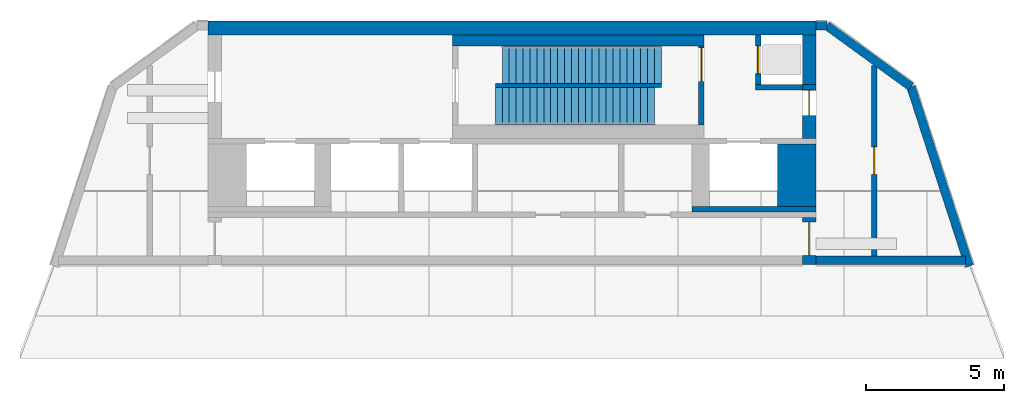
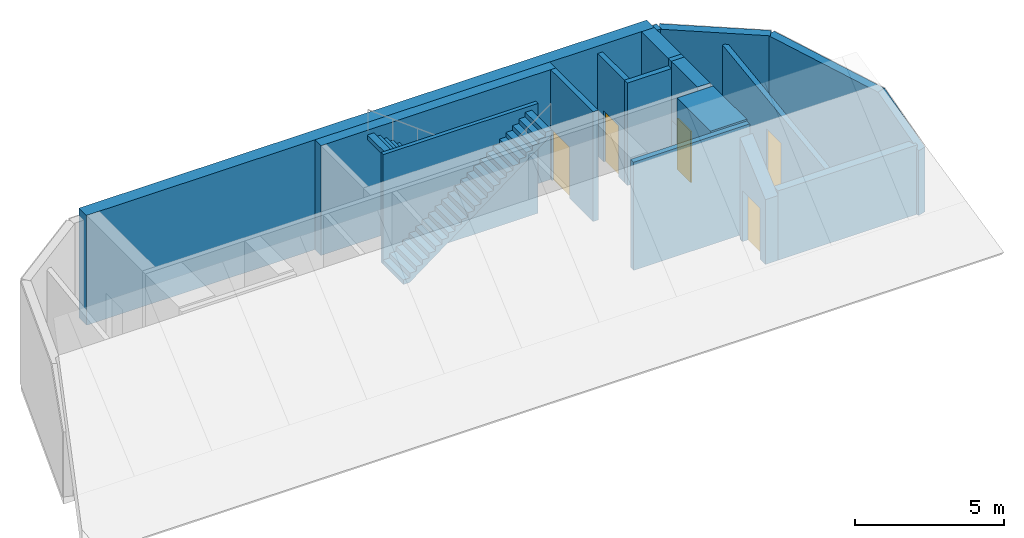
# One storey, part 2 of 4: 17 walls, 5 doors, 2 stair flights, 5 openings, 2 elements without a shape of their own.
"""IFC4 building model written with IfcOpenShell, lengths in metres."""

from ifc_helpers import new_model, si_unit, direction, frame, frame_2d, origin, place, context, subcontext, project, spatial, polyline, rectangle, outline, extrude, material, layer, layer_set, type_object, element, fill, aggregate, save


model = new_model("IFC4")

# Units and contexts
model_context = context("Model", 3, precision=1e-05, world=origin(), true_north=direction((0.0, 1.0)))
body_context = subcontext(model_context, "Body", "Model", "MODEL_VIEW")
ifc_project = project(units=[si_unit("LENGTHUNIT", "METRE"), si_unit("AREAUNIT", "SQUARE_METRE"), si_unit("VOLUMEUNIT", "CUBIC_METRE"), si_unit("PLANEANGLEUNIT", "RADIAN"), si_unit("MASSUNIT", "GRAM", prefix="KILO")], contexts=[model_context])

# Site, building, storey
site_placement = place(None, origin())
site = spatial("IfcSite", under=ifc_project, at=site_placement, CompositionType="ELEMENT")
building_placement = place(site_placement, origin())
building = spatial("IfcBuilding", under=site, at=building_placement, Name="White Candle Pilgrim Tower", CompositionType="ELEMENT")
storey_placement = place(building_placement, frame((0.0, 0.0, 351.199951171875)))
storey = spatial("IfcBuildingStorey", under=building, at=storey_placement, Name="L82", CompositionType="ELEMENT", Elevation=351.199951171875)

# Walls
ifc_material_1 = material(Name="Concrete C40/50", Category="concrete")
ifc_layer_1 = layer(ifc_material_1, 1.39990234375)
ifc_layer_set_1 = layer_set([ifc_layer_1], Name="Core wall 1400 mm Concrete C40/50")
wall_type_1 = type_object("IfcWallType", Name="Core wall 1400 mm Concrete C40/50", PredefinedType="SHEAR", material=ifc_layer_set_1)
wall_1_placement = place(storey_placement, frame((80.300048828125, 81.300048828125, 0.0), z_axis=(0.0, 0.0, 1.0), x_axis=(0.0, 1.0, 0.0)))
element("IfcWall", 1, at=wall_1_placement, inside=storey, type_object=wall_type_1, Name="WL-L82-C12", PredefinedType="SHEAR", context=body_context, shape_type="SweptSolid", body=[
    extrude(rectangle(XDim=2.25, YDim=1.39990234375, at=frame_2d((1.125, 0.0))), origin(), (0.0, 0.0, 1.0), 4.5),
])
ifc_layer_2 = layer(ifc_material_1, 0.199951171875)
ifc_layer_set_2 = layer_set([ifc_layer_2], Name="Core wall 200 mm Concrete C40/50")
wall_type_2 = type_object("IfcWallType", Name="Core wall 200 mm Concrete C40/50", PredefinedType="SHEAR", material=ifc_layer_set_2)
wall_2_placement = place(storey_placement, frame((76.5, 81.199951171875, 0.0), z_axis=(0.0, 0.0, 1.0), x_axis=(1.0, 0.0, 0.0)))
element("IfcWall", 2, at=wall_2_placement, inside=storey, type_object=wall_type_2, Name="WL-L82-C08", PredefinedType="SHEAR", context=body_context, shape_type="SweptSolid", body=[
    extrude(rectangle(XDim=4.5, YDim=0.199951171875, at=frame_2d((2.25, 0.0))), origin(), (0.0, 0.0, 1.0), 4.428955078125),
])
wall_3_placement = place(storey_placement, frame((80.5, 85.60009765625, 0.0), z_axis=(0.0, 0.0, 1.0), x_axis=(1.0, 0.0, 0.0)))
element("IfcWall", 3, at=wall_3_placement, inside=storey, type_object=wall_type_2, Name="WL-L82-C20", PredefinedType="SHEAR", context=body_context, shape_type="SweptSolid", body=[
    extrude(rectangle(XDim=0.5, YDim=0.199951171875, at=frame_2d((0.25, 0.0))), origin(), (0.0, 0.0, 1.0), 4.5),
])

# Wall, opening, door
ifc_layer_3 = layer(ifc_material_1, 0.5)
ifc_layer_set_3 = layer_set([ifc_layer_3], Name="Core wall 500 mm Concrete C40/50")
wall_type_3 = type_object("IfcWallType", Name="Core wall 500 mm Concrete C40/50", PredefinedType="SHEAR", material=ifc_layer_set_3)
wall_4_placement = place(storey_placement, frame((80.75, 79.19091796875, 0.0), z_axis=(0.0, 0.0, 1.0), x_axis=(0.0, 1.0, 0.0)))
wall_4 = element("IfcWall", 4, at=wall_4_placement, inside=storey, type_object=wall_type_3, Name="WL-L82-C02", PredefinedType="SHEAR", context=body_context, shape_type="SweptSolid", body=[
    extrude(outline(polyline([(0.0, 0.0), (1.708984375, 0.0), (1.709228515625, 4.163330078125), (0.0, 2.650146484375), (0.0, 0.0)])), frame((0.0, 0.25, 0.0), z_axis=(0.0, -1.0, 0.0), x_axis=(1.0, 0.0, 0.0)), (0.0, 0.0, 1.0), 0.5),
])
opening_1_placement = place(wall_4_placement, frame((0.340087890625, 0.0, 0.0)))
opening_1 = element("IfcOpeningElement", 5, at=opening_1_placement, cuts=wall_4, Name="Opening L82-004", PredefinedType="OPENING", context=body_context, shape_type="SweptSolid", body=[
    extrude(rectangle(XDim=1.199951171875, YDim=2.10009765625, at=frame_2d((0.60009765625, 1.050048828125))), frame((0.0, 0.260009765625, 0.0), z_axis=(0.0, -1.0, 0.0), x_axis=(1.0, 0.0, 0.0)), (0.0, 0.0, 1.0), 0.52001953125),
])
ifc_material_2 = material(Name="Steel door leaf", Category="steel")
door_type_1 = type_object("IfcDoorType", Name="Fire door 1200 x 2100 EI 60", OperationType="NOTDEFINED", PredefinedType="DOOR", material=ifc_material_2)
door_1_placement = place(opening_1_placement, origin())
door_1 = element("IfcDoor", 6, at=door_1_placement, inside=storey, type_object=door_type_1, Name="Door L82-004", OperationType="SINGLE_SWING_LEFT", OverallHeight=2.10009765625, OverallWidth=1.199951171875, PredefinedType="DOOR", context=body_context, shape_type="SweptSolid", body=[
    extrude(rectangle(XDim=1.199951171875, YDim=2.10009765625, at=frame_2d((0.60009765625, 1.050048828125))), frame((0.0, 0.02490234375, 0.0), z_axis=(0.0, -1.0, 0.0), x_axis=(1.0, 0.0, 0.0)), (0.0, 0.0, 1.0), 0.050048828125),
])
fill(opening_1, door_1)

wall_5_placement = place(storey_placement, frame((80.75, 83.75, 0.0), z_axis=(0.0, 0.0, 1.0), x_axis=(0.0, 1.0, 0.0)))
wall_5 = element("IfcWall", 7, at=wall_5_placement, inside=storey, type_object=wall_type_3, Name="WL-L82-C16", PredefinedType="SHEAR", context=body_context, shape_type="SweptSolid", body=[
    extrude(rectangle(XDim=1.75, YDim=0.5, at=frame_2d((0.875, 0.0))), origin(), (0.0, 0.0, 1.0), 4.5),
])
opening_2_placement = place(wall_5_placement, frame((0.840087890625, 0.0, 0.0)))
opening_2 = element("IfcOpeningElement", 8, at=opening_2_placement, cuts=wall_5, Name="Opening L82-006", PredefinedType="OPENING", context=body_context, shape_type="SweptSolid", body=[
    extrude(rectangle(XDim=0.89990234375, YDim=2.10009765625, at=frame_2d((0.449951171875, 1.050048828125))), frame((0.0, 0.260009765625, 0.0), z_axis=(0.0, -1.0, 0.0), x_axis=(1.0, 0.0, 0.0)), (0.0, 0.0, 1.0), 0.52001953125),
])
door_type_2 = type_object("IfcDoorType", Name="Fire door 900 x 2100 EI 30", OperationType="NOTDEFINED", PredefinedType="DOOR", material=ifc_material_2)
door_2_placement = place(opening_2_placement, origin())
door_2 = element("IfcDoor", 9, at=door_2_placement, inside=storey, type_object=door_type_2, Name="Door L82-006", OperationType="SINGLE_SWING_LEFT", OverallHeight=2.10009765625, OverallWidth=0.89990234375, PredefinedType="DOOR", context=body_context, shape_type="SweptSolid", body=[
    extrude(rectangle(XDim=0.89990234375, YDim=2.10009765625, at=frame_2d((0.449951171875, 1.050048828125))), frame((0.0, 0.02490234375, 0.0), z_axis=(0.0, -1.0, 0.0), x_axis=(1.0, 0.0, 0.0)), (0.0, 0.0, 1.0), 0.050048828125),
])
fill(opening_2, door_2)

# Walls
wall_6_placement = place(storey_placement, frame((80.75, 85.699951171875, 0.0), z_axis=(0.0, 0.0, 1.0), x_axis=(0.0, 1.0, 0.0)))
element("IfcWall", 10, at=wall_6_placement, inside=storey, type_object=wall_type_3, Name="WL-L82-C23", PredefinedType="SHEAR", context=body_context, shape_type="SweptSolid", body=[
    extrude(rectangle(XDim=1.800048828125, YDim=0.5, at=frame_2d((0.89990234375, 0.0))), origin(), (0.0, 0.0, 1.0), 4.5),
])
wall_7_placement = place(storey_placement, frame((59.0, 87.75, 0.0), z_axis=(0.0, 0.0, 1.0), x_axis=(1.0, 0.0, 0.0)))
element("IfcWall", 11, at=wall_7_placement, inside=storey, type_object=wall_type_3, Name="WL-L82-C25", PredefinedType="SHEAR", context=body_context, shape_type="SweptSolid", body=[
    extrude(rectangle(XDim=22.0, YDim=0.5, at=frame_2d((11.0, 0.0))), origin(), (0.0, 0.0, 1.0), 4.5),
])

# Wall, opening, door
ifc_material_3 = material(Name="Gypsum board on steel studs", Category="steel")
ifc_layer_4 = layer(ifc_material_3, 0.199951171875)
ifc_layer_set_4 = layer_set([ifc_layer_4], Name="Corridor wall 200 mm EI 45")
wall_type_4 = type_object("IfcWallType", Name="Corridor wall 200 mm EI 45", PredefinedType="PARTITIONING", material=ifc_layer_set_4)
wall_8_placement = place(storey_placement, frame((83.10009765625, 86.396240234375, 0.0), z_axis=(0.0, 0.0, 1.0), x_axis=(0.0, -1.0, 0.0)))
wall_8 = element("IfcWall", 12, at=wall_8_placement, inside=storey, type_object=wall_type_4, Name="WL-L82-P002", PredefinedType="PARTITIONING", context=body_context, shape_type="SweptSolid", body=[
    extrude(outline(polyline([(0.0, 0.0), (6.885498046875, 0.0), (6.885498046875, 2.833251953125), (0.0, 3.75), (0.0, 0.0)])), frame((0.0, 0.10009765625, 0.0), z_axis=(0.0, -1.0, 0.0), x_axis=(1.0, 0.0, 0.0)), (0.0, 0.0, 1.0), 0.199951171875),
])
opening_3_placement = place(wall_8_placement, frame((2.942626953125, 0.0, 0.0)))
opening_3 = element("IfcOpeningElement", 13, at=opening_3_placement, cuts=wall_8, Name="Opening L82-102", PredefinedType="OPENING", context=body_context, shape_type="SweptSolid", body=[
    extrude(rectangle(XDim=1.0, YDim=2.10009765625, at=frame_2d((0.5, 1.050048828125))), frame((0.0, 0.10986328125, 0.0), z_axis=(0.0, -1.0, 0.0), x_axis=(1.0, 0.0, 0.0)), (0.0, 0.0, 1.0), 0.219970703125),
])
door_type_3 = type_object("IfcDoorType", Name="Fire door 1000 x 2100 EI 30", OperationType="NOTDEFINED", PredefinedType="DOOR", material=ifc_material_2)
door_3_placement = place(opening_3_placement, origin())
door_3 = element("IfcDoor", 14, at=door_3_placement, inside=storey, type_object=door_type_3, Name="Door L82-102", OperationType="SINGLE_SWING_RIGHT", OverallHeight=2.10009765625, OverallWidth=1.0, PredefinedType="DOOR", context=body_context, shape_type="SweptSolid", body=[
    extrude(rectangle(XDim=1.0, YDim=2.10009765625, at=frame_2d((0.5, 1.050048828125))), frame((0.0, 0.02490234375, 0.0), z_axis=(0.0, -1.0, 0.0), x_axis=(1.0, 0.0, 0.0)), (0.0, 0.0, 1.0), 0.050048828125),
])
fill(opening_3, door_3)

# Walls
ifc_material_4 = material(Name="Precast concrete C40/50", Category="concrete")
ifc_layer_5 = layer(ifc_material_4, 0.320068359375)
ifc_layer_set_5 = layer_set([ifc_layer_5], Name="Facade wall EW4 precast concrete C40/50 crown wall with zinc cladding")
wall_type_5 = type_object("IfcWallType", Name="Facade wall EW4 precast concrete C40/50 crown wall with zinc cladding", PredefinedType="SOLIDWALL", material=ifc_layer_set_5)
wall_9_placement = place(storey_placement, frame((86.53759765625, 79.141357421875, 0.0), z_axis=(0.0, 0.0, 1.0), x_axis=(-0.309001889909, 0.951061423901, 0.0)))
element("IfcWall", 15, at=wall_9_placement, inside=storey, type_object=wall_type_5, Name="Crown wall L82 ENE", PredefinedType="SOLIDWALL", context=body_context, shape_type="SweptSolid", body=[
    extrude(outline(polyline([(0.0, 0.0), (6.820068359375, 0.0), (6.820068359375, 4.199951171875), (1.833251953125, 4.199951171875), (0.0, 2.65625), (0.0, 0.0)])), frame((0.0, 0.16015625, 0.0), z_axis=(0.0, -1.0, 0.0), x_axis=(1.0, 0.0, 0.0)), (0.0, 0.0, 1.0), 0.320068359375),
])
wall_10_placement = place(storey_placement, frame((84.43017578125, 85.627685546875, 0.0), z_axis=(0.0, 0.0, 1.0), x_axis=(-0.809022082061, 0.58777824963, 0.0)))
element("IfcWall", 16, at=wall_10_placement, inside=storey, type_object=wall_type_5, Name="Crown wall L82 NE chamfer", PredefinedType="SOLIDWALL", context=body_context, shape_type="SweptSolid", body=[
    extrude(rectangle(XDim=3.763916015625, YDim=0.320068359375, at=frame_2d((1.8818359375, 0.0))), origin(), (0.0, 0.0, 1.0), 4.199951171875),
])
wall_11_placement = place(storey_placement, frame((81.385009765625, 87.840087890625, 0.0), z_axis=(0.0, 0.0, 1.0), x_axis=(-1.0, 0.0, 0.0)))
element("IfcWall", 17, at=wall_11_placement, inside=storey, type_object=wall_type_5, Name="Crown wall L82 N", PredefinedType="SOLIDWALL", context=body_context, shape_type="SweptSolid", body=[
    extrude(rectangle(XDim=0.385009765625, YDim=0.320068359375, at=frame_2d((0.1923828125, 0.0))), origin(), (0.0, 0.0, 1.0), 4.199951171875),
])
wall_12_placement = place(storey_placement, frame((81.0, 79.350830078125, 0.0), z_axis=(0.0, 0.0, 1.0), x_axis=(1.0, 0.0, 0.0)))
element("IfcWall", 18, at=wall_12_placement, inside=storey, type_object=wall_type_5, Name="Crown wall L82 S", PredefinedType="SOLIDWALL", context=body_context, shape_type="SweptSolid", body=[
    extrude(rectangle(XDim=5.39599609375, YDim=0.320068359375, at=frame_2d((2.697998046875, 0.0))), origin(), (0.0, 0.0, 1.0), 2.841796875),
])
ifc_material_5 = material(Name="Aerated concrete block", Category="concrete")
ifc_layer_6 = layer(ifc_material_5, 0.199951171875)
ifc_layer_set_6 = layer_set([ifc_layer_6], Name="Lift shaft wall 200 mm REI 240")
wall_type_6 = type_object("IfcWallType", Name="Lift shaft wall 200 mm REI 240", PredefinedType="PARTITIONING", material=ifc_layer_set_6)
wall_13_placement = place(storey_placement, frame((78.800048828125, 85.60009765625, 0.0), z_axis=(0.0, 0.0, 1.0), x_axis=(1.0, 0.0, 0.0)))
element("IfcWall", 19, at=wall_13_placement, inside=storey, type_object=wall_type_6, Name="WL-L82-C19", PredefinedType="PARTITIONING", context=body_context, shape_type="SweptSolid", body=[
    extrude(rectangle(XDim=1.699951171875, YDim=0.199951171875, at=frame_2d((0.85009765625, 0.0))), origin(), (0.0, 0.0, 1.0), 4.199951171875),
])

# Wall, opening, door
wall_14_placement = place(storey_placement, frame((78.89990234375, 85.699951171875, 0.0), z_axis=(0.0, 0.0, 1.0), x_axis=(0.0, 1.0, 0.0)))
wall_14 = element("IfcWall", 20, at=wall_14_placement, inside=storey, type_object=wall_type_6, Name="WL-L82-C22", PredefinedType="PARTITIONING", context=body_context, shape_type="SweptSolid", body=[
    extrude(rectangle(XDim=1.800048828125, YDim=0.199951171875, at=frame_2d((0.89990234375, 0.0))), origin(), (0.0, 0.0, 1.0), 4.199951171875),
])
opening_4_placement = place(wall_14_placement, frame((0.39990234375, 0.0, 0.0)))
opening_4 = element("IfcOpeningElement", 21, at=opening_4_placement, cuts=wall_14, Name="Opening L82-011", PredefinedType="OPENING", context=body_context, shape_type="SweptSolid", body=[
    extrude(rectangle(XDim=1.0, YDim=2.10009765625, at=frame_2d((0.5, 1.050048828125))), frame((0.0, 0.10986328125, 0.0), z_axis=(0.0, -1.0, 0.0), x_axis=(1.0, 0.0, 0.0)), (0.0, 0.0, 1.0), 0.219970703125),
])
ifc_material_6 = material(Name="Stainless steel", Category="steel")
door_type_4 = type_object("IfcDoorType", Name="Lift landing door 1000 x 2100 E 60", OperationType="DOUBLE_DOOR_SLIDING", PredefinedType="DOOR", material=ifc_material_6)
door_4_placement = place(opening_4_placement, origin())
door_4 = element("IfcDoor", 22, at=door_4_placement, inside=storey, type_object=door_type_4, Name="Door L82-011", OperationType="DOUBLE_DOOR_SLIDING", OverallHeight=2.10009765625, OverallWidth=1.0, PredefinedType="DOOR", context=body_context, shape_type="SweptSolid", body=[
    extrude(rectangle(XDim=1.0, YDim=2.10009765625, at=frame_2d((0.5, 1.050048828125))), frame((0.0, 0.02490234375, 0.0), z_axis=(0.0, -1.0, 0.0), x_axis=(1.0, 0.0, 0.0)), (0.0, 0.0, 1.0), 0.050048828125),
])
fill(opening_4, door_4)

# Wall
ifc_layer_7 = layer(ifc_material_1, 0.14990234375)
ifc_layer_set_7 = layer_set([ifc_layer_7], Name="Stair shaft wall 150 mm Concrete C40/50")
wall_type_7 = type_object("IfcWallType", Name="Stair shaft wall 150 mm Concrete C40/50", PredefinedType="SHEAR", material=ifc_layer_set_7)
wall_15_placement = place(storey_placement, frame((69.39990234375, 85.675048828125, 0.0), z_axis=(0.0, 0.0, 1.0), x_axis=(1.0, 0.0, 0.0)))
element("IfcWall", 23, at=wall_15_placement, inside=storey, type_object=wall_type_7, Name="WL-L82-C21", PredefinedType="SHEAR", context=body_context, shape_type="SweptSolid", body=[
    extrude(rectangle(XDim=6.0, YDim=0.14990234375, at=frame_2d((3.0, 0.0))), origin(), (0.0, 0.0, 1.0), 4.5),
])

# Wall, opening, door
ifc_layer_8 = layer(ifc_material_1, 0.199951171875)
ifc_layer_set_8 = layer_set([ifc_layer_8], Name="Stair shaft wall 200 mm Concrete C40/50")
wall_type_8 = type_object("IfcWallType", Name="Stair shaft wall 200 mm Concrete C40/50", PredefinedType="SHEAR", material=ifc_layer_set_8)
wall_16_placement = place(storey_placement, frame((76.85009765625, 84.25, 0.0), z_axis=(0.0, 0.0, 1.0), x_axis=(0.0, 1.0, 0.0)))
wall_16 = element("IfcWall", 24, at=wall_16_placement, inside=storey, type_object=wall_type_8, Name="WL-L82-C18", PredefinedType="SHEAR", context=body_context, shape_type="SweptSolid", body=[
    extrude(rectangle(XDim=2.85009765625, YDim=0.199951171875, at=frame_2d((1.425048828125, 0.0))), origin(), (0.0, 0.0, 1.0), 4.5),
])
opening_5_placement = place(wall_16_placement, frame((1.574951171875, 0.0, 0.0)))
opening_5 = element("IfcOpeningElement", 25, at=opening_5_placement, cuts=wall_16, Name="Opening L82-002", PredefinedType="OPENING", context=body_context, shape_type="SweptSolid", body=[
    extrude(rectangle(XDim=1.199951171875, YDim=2.10009765625, at=frame_2d((0.60009765625, 1.050048828125))), frame((0.0, 0.10986328125, 0.0), z_axis=(0.0, -1.0, 0.0), x_axis=(1.0, 0.0, 0.0)), (0.0, 0.0, 1.0), 0.219970703125),
])
door_5_placement = place(opening_5_placement, origin())
door_5 = element("IfcDoor", 26, at=door_5_placement, inside=storey, type_object=door_type_1, Name="Door L82-002", OperationType="SINGLE_SWING_RIGHT", OverallHeight=2.10009765625, OverallWidth=1.199951171875, PredefinedType="DOOR", context=body_context, shape_type="SweptSolid", body=[
    extrude(rectangle(XDim=1.199951171875, YDim=2.10009765625, at=frame_2d((0.60009765625, 1.050048828125))), frame((0.0, 0.02490234375, 0.0), z_axis=(0.0, -1.0, 0.0), x_axis=(1.0, 0.0, 0.0)), (0.0, 0.0, 1.0), 0.050048828125),
])
fill(opening_5, door_5)

# Wall
ifc_layer_9 = layer(ifc_material_1, 0.39990234375)
ifc_layer_set_9 = layer_set([ifc_layer_9], Name="Stair shaft wall 400 mm Concrete C40/50")
wall_type_9 = type_object("IfcWallType", Name="Stair shaft wall 400 mm Concrete C40/50", PredefinedType="SHEAR", material=ifc_layer_set_9)
wall_17_placement = place(storey_placement, frame((67.85009765625, 87.300048828125, 0.0), z_axis=(0.0, 0.0, 1.0), x_axis=(1.0, 0.0, 0.0)))
element("IfcWall", 27, at=wall_17_placement, inside=storey, type_object=wall_type_9, Name="WL-L82-C24", PredefinedType="SHEAR", context=body_context, shape_type="SweptSolid", body=[
    extrude(rectangle(XDim=9.099853515625, YDim=0.39990234375, at=frame_2d((4.5498046875, 0.0))), origin(), (0.0, 0.0, 1.0), 4.5),
])

# Stair, stair flight
stair_type = type_object("IfcStairType", Name="Exit stair 12 flight width 1350 mm", PredefinedType="STRAIGHT_RUN_STAIR", material=ifc_material_1)
stair_1_placement = place(storey_placement, origin())
stair_1 = element("IfcStair", 28, at=stair_1_placement, inside=storey, type_object=stair_type, Name="L82 stair 12 B", PredefinedType="NOTDEFINED")
ifc_layer_10 = layer(ifc_material_1, 0.14990234375)
ifc_layer_set_10 = layer_set([ifc_layer_10], Name="Stair flight Concrete C40/50")
stair_flight_type = type_object("IfcStairFlightType", Name="Stair flight Concrete C40/50", PredefinedType="STRAIGHT", material=ifc_layer_set_10)
stair_flight_1_placement = place(storey_placement, frame((69.39990234375, 84.925048828125, 0.0), z_axis=(0.0, 0.0, 1.0), x_axis=(1.0, 0.0, 0.0)))
stair_flight_1 = element("IfcStairFlight", 29, at=stair_flight_1_placement, type_object=stair_flight_type, Name="ST12B flight 1", NumberOfRisers=24, NumberOfTreads=23, PredefinedType="NOTDEFINED", RiserHeight=0.1875, TreadLength=0.25, context=body_context, shape_type="SweptSolid", body=[
    extrude(outline(polyline([(0.0, 0.0), (0.0, 0.1875), (0.25, 0.1875), (0.25, 0.375), (0.5, 0.375), (0.5, 0.5625), (0.75, 0.5625), (0.75, 0.75), (1.0, 0.75), (1.0, 0.9375), (1.25, 0.9375), (1.25, 1.125), (1.5, 1.125), (1.5, 1.3125), (1.75, 1.3125), (1.75, 1.5), (2.0, 1.5), (2.0, 1.6875), (2.25, 1.6875), (2.25, 1.875), (2.5, 1.875), (2.5, 2.0625), (2.75, 2.0625), (2.75, 2.25), (3.0, 2.25), (3.0, 2.4375), (3.25, 2.4375), (3.25, 2.625), (3.5, 2.625), (3.5, 2.8125), (3.75, 2.8125), (3.75, 3.0), (4.0, 3.0), (4.0, 3.1875), (4.25, 3.1875), (4.25, 3.375), (4.5, 3.375), (4.5, 3.5625), (4.75, 3.5625), (4.75, 3.75), (5.0, 3.75), (5.0, 3.9375), (5.25, 3.9375), (5.25, 4.125), (5.5, 4.125), (5.5, 4.3125), (5.75, 4.3125), (5.75, 4.5), (5.75, 4.125), (0.249755859375, 0.0), (0.0, 0.0)])), frame((0.0, 0.675048828125, 0.0), z_axis=(0.0, -1.0, 0.0), x_axis=(1.0, 0.0, 0.0)), (0.0, 0.0, 1.0), 1.35009765625),
])
aggregate(stair_1, [stair_flight_1])

stair_2_placement = place(storey_placement, origin())
stair_2 = element("IfcStair", 30, at=stair_2_placement, inside=storey, type_object=stair_type, Name="L82 stair 12 A", PredefinedType="NOTDEFINED")
stair_flight_2_placement = place(storey_placement, frame((75.39990234375, 86.425048828125, 0.0), z_axis=(0.0, 0.0, 1.0), x_axis=(-1.0, 0.0, 0.0)))
stair_flight_2 = element("IfcStairFlight", 31, at=stair_flight_2_placement, type_object=stair_flight_type, Name="ST12A flight 1", NumberOfRisers=24, NumberOfTreads=23, PredefinedType="NOTDEFINED", RiserHeight=0.1875, TreadLength=0.25, context=body_context, shape_type="SweptSolid", body=[
    extrude(outline(polyline([(0.0, 0.0), (0.0, 0.1875), (0.25, 0.1875), (0.25, 0.375), (0.5, 0.375), (0.5, 0.5625), (0.75, 0.5625), (0.75, 0.75), (1.0, 0.75), (1.0, 0.9375), (1.25, 0.9375), (1.25, 1.125), (1.5, 1.125), (1.5, 1.3125), (1.75, 1.3125), (1.75, 1.5), (2.0, 1.5), (2.0, 1.6875), (2.25, 1.6875), (2.25, 1.875), (2.5, 1.875), (2.5, 2.0625), (2.75, 2.0625), (2.75, 2.25), (3.0, 2.25), (3.0, 2.4375), (3.25, 2.4375), (3.25, 2.625), (3.5, 2.625), (3.5, 2.8125), (3.75, 2.8125), (3.75, 3.0), (4.0, 3.0), (4.0, 3.1875), (4.25, 3.1875), (4.25, 3.375), (4.5, 3.375), (4.5, 3.5625), (4.75, 3.5625), (4.75, 3.75), (5.0, 3.75), (5.0, 3.9375), (5.25, 3.9375), (5.25, 4.125), (5.5, 4.125), (5.5, 4.3125), (5.75, 4.3125), (5.75, 4.5), (5.75, 4.125), (0.249755859375, 0.0), (0.0, 0.0)])), frame((0.0, 0.675048828125, 0.0), z_axis=(0.0, -1.0, 0.0), x_axis=(1.0, 0.0, 0.0)), (0.0, 0.0, 1.0), 1.35009765625),
])
aggregate(stair_2, [stair_flight_2])

save(model, "model.ifc")
